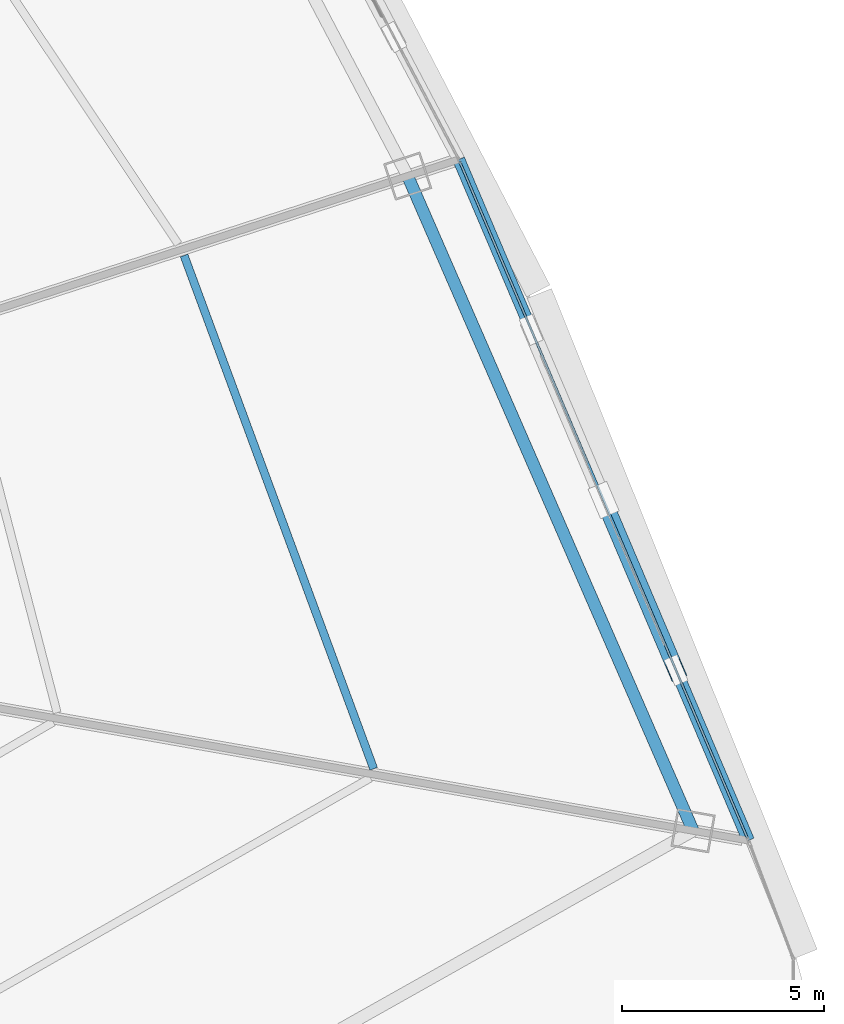
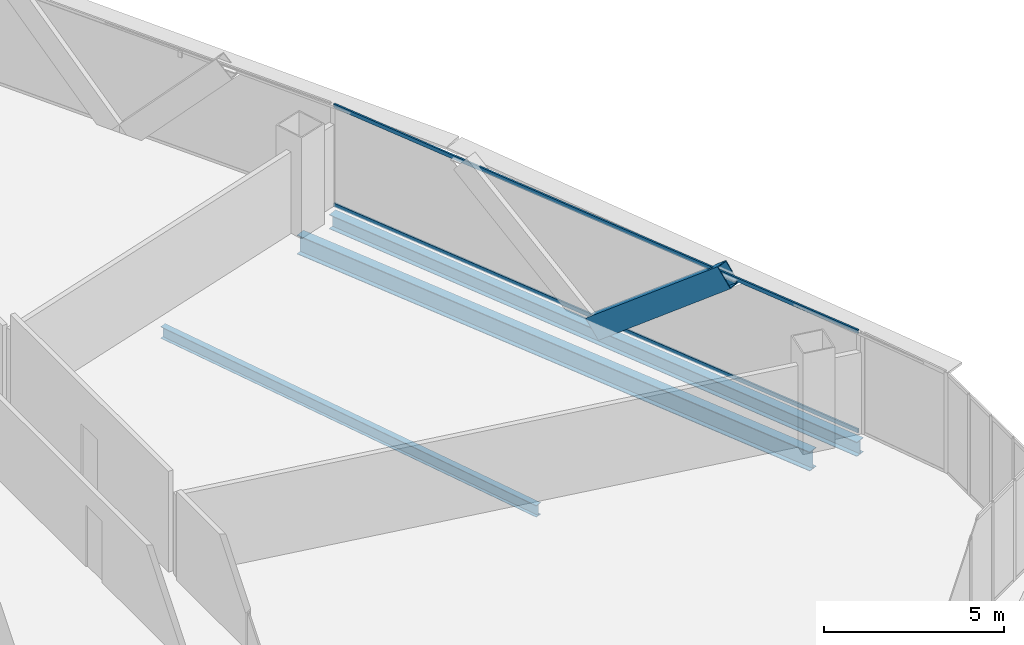
# One storey, part 27 of 42: 3 beams, 3 members, 1 element without a shape of its own.
"""IFC4 building model written with IfcOpenShell, lengths in metres."""

from ifc_helpers import new_model, si_unit, direction, frame, origin, origin_2d, place, context, subcontext, project, spatial, hollow_rectangle, i_section, extrude, source, transform, mapped, material, layer, layer_set, material_profile, profile_set, type_object, element, aggregate, save


model = new_model("IFC4")

# Units and contexts
model_context = context("Model", 3, precision=1e-05, world=origin(), true_north=direction((0.0, 1.0)))
body_context = subcontext(model_context, "Body", "Model", "MODEL_VIEW")
ifc_project = project(units=[si_unit("LENGTHUNIT", "METRE"), si_unit("AREAUNIT", "SQUARE_METRE"), si_unit("VOLUMEUNIT", "CUBIC_METRE"), si_unit("PLANEANGLEUNIT", "RADIAN"), si_unit("MASSUNIT", "GRAM", prefix="KILO"), si_unit("THERMODYNAMICTEMPERATUREUNIT", "KELVIN"), si_unit("POWERUNIT", "WATT")], contexts=[model_context])

# Site, building, storey
site_placement = place(None, origin())
site = spatial("IfcSite", under=ifc_project, at=site_placement, CompositionType="ELEMENT")
building_placement = place(site_placement, origin())
building = spatial("IfcBuilding", under=site, at=building_placement, Name="Yunzhuo Pagoda Commons", CompositionType="ELEMENT")
storey_placement = place(building_placement, frame((0.0, 0.0, 151.909912109375)))
storey = spatial("IfcBuildingStorey", under=building, at=storey_placement, Name="L38", CompositionType="ELEMENT", Elevation=151.909912109375)

# Beams
ifc_material_1 = material(Name="Structural steel Q355B", Category="steel")
ifc_material_profile_1 = material_profile(ifc_material_1, i_section(OverallWidth=0.300048828125, OverallDepth=0.64990234375, WebThickness=0.012939453125, FlangeThickness=0.02197265625, at=origin_2d()), Name="Structural steel Q355B")
ifc_profile_set_1 = profile_set([ifc_material_profile_1], Name="Structural steel Q355B")
beam_type_1 = type_object("IfcBeamType", Name="B-RG2 Beam HN 650x300x13x22", PredefinedType="BEAM", material=ifc_profile_set_1)
shared_shape_1 = source(origin(), body_context, "Body", "SweptSolid", [
    extrude(i_section(OverallWidth=0.300048828125, OverallDepth=0.64990234375, WebThickness=0.012939453125, FlangeThickness=0.02197265625, at=origin_2d()), origin(), (0.0, 0.0, 1.0), 17.72021484375),
])
beam_1_placement = place(storey_placement, frame((84.9970703125, 27.176513671875, -0.5849609375), z_axis=(-0.399643307961, 0.916670729544, 0.0), x_axis=(-0.916670729544, -0.399643307961, 0.0)))
element("IfcBeam", 1, at=beam_1_placement, inside=storey, type_object=beam_type_1, Name="L38 column-ring beam 5", PredefinedType="BEAM", context=body_context, shape_type="MappedRepresentation", body=[
    mapped(shared_shape_1, transform((0.0, 0.0, 0.0), scale=1.0)),
])
ifc_material_profile_2 = material_profile(ifc_material_1, i_section(OverallWidth=0.199951171875, OverallDepth=0.39990234375, WebThickness=0.008056640625, FlangeThickness=0.012939453125, at=origin_2d()), Name="Structural steel Q355B")
ifc_profile_set_2 = profile_set([ifc_material_profile_2], Name="Structural steel Q355B")
beam_type_2 = type_object("IfcBeamType", Name="B-JS1 Joist HN 400x200x8x13", PredefinedType="JOIST", material=ifc_profile_set_2)
shared_shape_2 = source(origin(), body_context, "Body", "SweptSolid", [
    extrude(i_section(OverallWidth=0.199951171875, OverallDepth=0.39990234375, WebThickness=0.008056640625, FlangeThickness=0.012939453125, at=origin_2d()), origin(), (0.0, 0.0, 1.0), 13.57763671875),
])
beam_2_placement = place(storey_placement, frame((77.07080078125, 28.71337890625, -0.4599609375), z_axis=(-0.346531829181, 0.938038214235, 0.0), x_axis=(-0.938038214235, -0.346531829181, 0.0)))
element("IfcBeam", 2, at=beam_2_placement, inside=storey, type_object=beam_type_2, Name="L38 composite ring joist 2.5", PredefinedType="JOIST", context=body_context, shape_type="MappedRepresentation", body=[
    mapped(shared_shape_2, transform((0.0, 0.0, 0.0), scale=1.0)),
])
ifc_material_profile_3 = material_profile(ifc_material_1, i_section(OverallWidth=0.300048828125, OverallDepth=0.488037109375, WebThickness=0.010986328125, FlangeThickness=0.01806640625, at=origin_2d()), Name="Structural steel Q355B")
ifc_profile_set_3 = profile_set([ifc_material_profile_3], Name="Structural steel Q355B")
beam_type_3 = type_object("IfcBeamType", Name="B-SP1 Beam HM 488x300x11x18", PredefinedType="BEAM", material=ifc_profile_set_3)
shared_shape_3 = source(origin(), body_context, "Body", "SweptSolid", [
    extrude(i_section(OverallWidth=0.300048828125, OverallDepth=0.488037109375, WebThickness=0.010986328125, FlangeThickness=0.01806640625, at=origin_2d()), origin(), (0.0, 0.0, 1.0), 18.362548828125),
])
beam_3_placement = place(storey_placement, frame((86.3701171875, 26.934326171875, -0.50390625), z_axis=(-0.391409773714, 0.920216490312, 0.0), x_axis=(-0.920216490312, -0.391409773714, 0.0)))
element("IfcBeam", 3, at=beam_3_placement, inside=storey, type_object=beam_type_3, Name="L38 facade edge spandrel beam F2.1", PredefinedType="BEAM", context=body_context, shape_type="MappedRepresentation", body=[
    mapped(shared_shape_3, transform((0.0, 0.0, 0.0), scale=1.0)),
])

# Member
ifc_material_profile_4 = material_profile(ifc_material_1, hollow_rectangle(XDim=0.39990234375, YDim=0.719970703125, WallThickness=0.02392578125, at=origin_2d()), Name="Structural steel Q355B")
ifc_profile_set_4 = profile_set([ifc_material_profile_4], Name="Structural steel Q355B")
member_type_1 = type_object("IfcMemberType", Name="M-DL2 Brace BOX 720x400x24", PredefinedType="BRACE", material=ifc_profile_set_4)
shared_shape_4 = source(origin(), body_context, "Body", "SweptSolid", [
    extrude(hollow_rectangle(XDim=0.39990234375, YDim=0.719970703125, WallThickness=0.02392578125, at=origin_2d()), origin(), (0.0, 0.0, 1.0), 5.8837890625),
])
member_1_placement = place(storey_placement, frame((82.7763671875, 35.383056640625, -0.260009765625), z_axis=(0.305399742234, -0.717979855962, 0.625488548158), x_axis=(0.920211701428, 0.391421032336, 0.0)))
element("IfcMember", 4, at=member_1_placement, inside=storey, type_object=member_type_1, Name="L38 facade diamond brace F2.1L", PredefinedType="BRACE", context=body_context, shape_type="MappedRepresentation", body=[
    mapped(shared_shape_4, transform((0.0, 0.0, 0.0), scale=1.0)),
])

# Curtain wall, members
ifc_material_2 = material(Name="Anodized aluminium 6063-T6", Category="aluminium")
ifc_layer = layer(ifc_material_2, 0.14990234375)
ifc_layer_set = layer_set([ifc_layer], Name="Anodized aluminium 6063-T6")
curtain_wall_type = type_object("IfcCurtainWallType", Name="CW-MID Mid-Zone Ribbon Curtain Wall", PredefinedType="NOTDEFINED", material=ifc_layer_set)
curtain_wall_placement = place(storey_placement, origin())
curtain_wall = element("IfcCurtainWall", 5, at=curtain_wall_placement, inside=storey, type_object=curtain_wall_type, Name="L38 curtain wall CW-L38-F2B2", PredefinedType="NOTDEFINED")
ifc_material_profile_5 = material_profile(ifc_material_2, hollow_rectangle(XDim=0.054931640625, YDim=0.1298828125, WallThickness=0.00341796875, at=origin_2d()), Name="Anodized aluminium 6063-T6")
ifc_profile_set_5 = profile_set([ifc_material_profile_5], Name="Anodized aluminium 6063-T6")
member_type_2 = type_object("IfcMemberType", Name="CW-MID-T Transom RHS 130x55x3.5", PredefinedType="USERDEFINED", material=ifc_profile_set_5)
shared_shape_5 = source(origin(), body_context, "Body", "SweptSolid", [
    extrude(hollow_rectangle(XDim=0.054931640625, YDim=0.1298828125, WallThickness=0.00341796875, at=origin_2d()), origin(), (0.0, 0.0, 1.0), 18.24267578125),
])
member_2_placement = place(storey_placement, frame((86.3466796875, 26.989501953125, 0.027587890625), z_axis=(-0.391412675822, 0.920215255908, 0.0), x_axis=(-0.920215255908, -0.391412675822, 0.0)))
member_2 = element("IfcMember", 6, at=member_2_placement, type_object=member_type_2, Name="CW transom 1.1", ObjectType="TRANSOM", PredefinedType="USERDEFINED", context=body_context, shape_type="MappedRepresentation", body=[
    mapped(shared_shape_5, transform((0.0, 0.0, 0.0), scale=1.0)),
])
member_3_placement = place(storey_placement, frame((86.3466796875, 26.989501953125, 3.392578125), z_axis=(-0.391412675822, 0.920215255908, 0.0), x_axis=(-0.920215255908, -0.391412675822, 0.0)))
member_3 = element("IfcMember", 7, at=member_3_placement, type_object=member_type_2, Name="CW transom 1.2", ObjectType="TRANSOM", PredefinedType="USERDEFINED", context=body_context, shape_type="MappedRepresentation", body=[
    mapped(shared_shape_5, transform((0.0, 0.0, 0.0), scale=1.0)),
])
aggregate(curtain_wall, [member_2, member_3])

save(model, "model.ifc")
